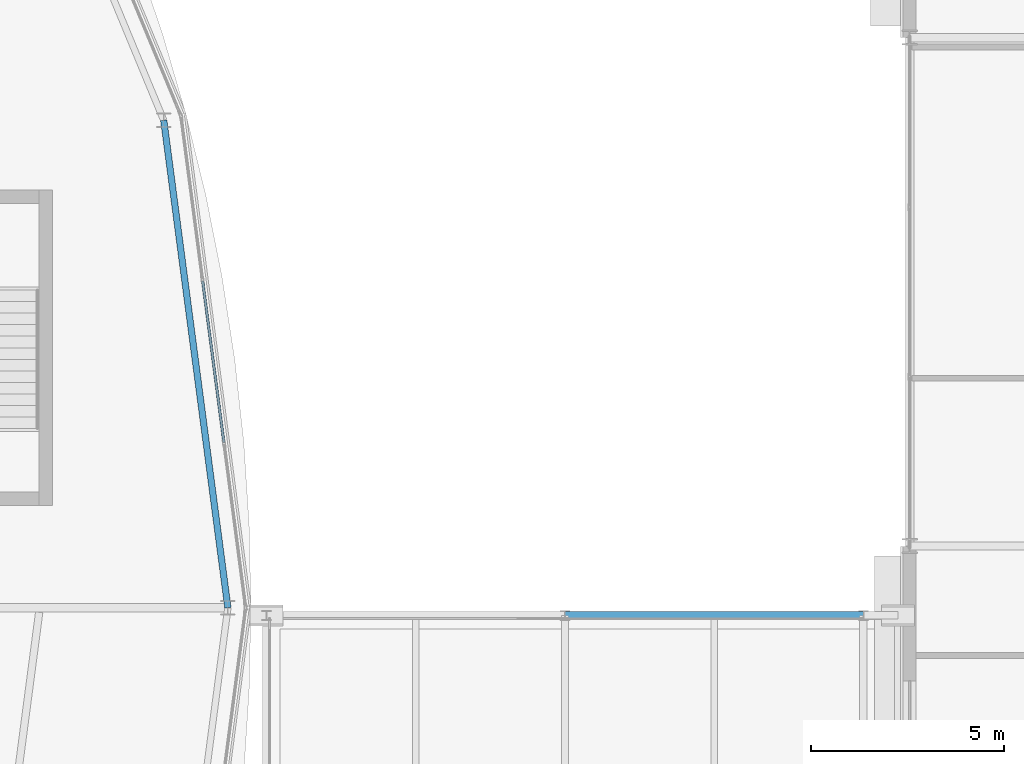
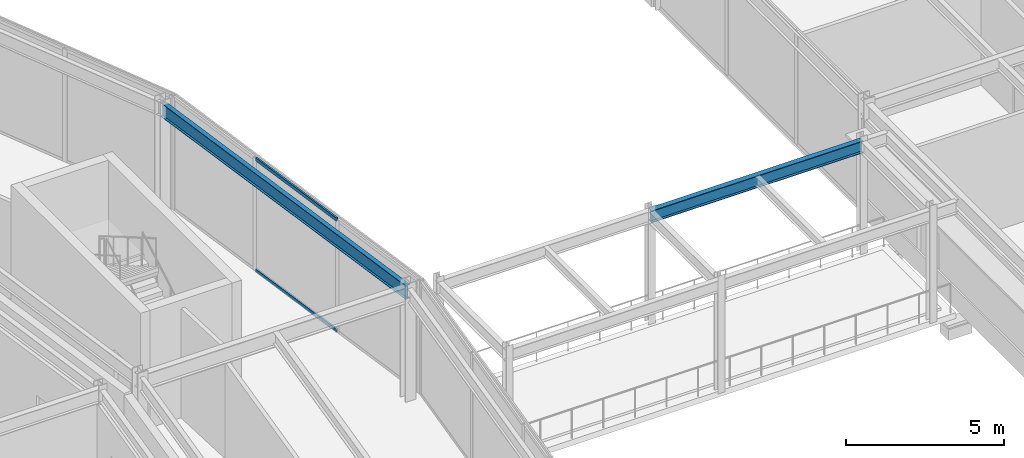
# One storey, part 97 of 157: 2 beams, 2 members, 1 element without a shape of its own.
"""IFC4 building model written with IfcOpenShell, lengths in metres."""

from ifc_helpers import new_model, si_unit, direction, frame, origin, origin_2d, place, context, subcontext, project, spatial, hollow_rectangle, i_section, extrude, material, material_profile, profile_set, type_object, element, aggregate, save


model = new_model("IFC4")

# Units and contexts
model_context = context("Model", 3, precision=1e-05, world=origin(), true_north=direction((0.0, 1.0)))
body_context = subcontext(model_context, "Body", "Model", "MODEL_VIEW")
ifc_project = project(units=[si_unit("LENGTHUNIT", "METRE"), si_unit("AREAUNIT", "SQUARE_METRE"), si_unit("VOLUMEUNIT", "CUBIC_METRE"), si_unit("PLANEANGLEUNIT", "RADIAN"), si_unit("MASSUNIT", "GRAM", prefix="KILO")], contexts=[model_context])

# Site, building, storey
site_placement = place(None, origin())
site = spatial("IfcSite", under=ifc_project, at=site_placement, CompositionType="ELEMENT")
building_placement = place(site_placement, origin())
building = spatial("IfcBuilding", under=site, at=building_placement, Name="Almandine Court Research Institute", CompositionType="ELEMENT")
storey_placement = place(building_placement, frame((0.0, 0.0, 5.25)))
storey = spatial("IfcBuildingStorey", under=building, at=storey_placement, Name="L01", CompositionType="ELEMENT", Elevation=5.25)

# Beams
ifc_material_1 = material(Name="Steel ASTM A992 Grade 50", Category="steel")
ifc_material_profile_1 = material_profile(ifc_material_1, i_section(OverallWidth=0.166015625, OverallDepth=0.534912109375, WebThickness=0.010009765625, FlangeThickness=0.01708984375, at=origin_2d()), Name="W530x85")
ifc_profile_set_1 = profile_set([ifc_material_profile_1], Name="Steel ASTM A992 Grade 50")
beam_type_1 = type_object("IfcBeamType", Name="Beam-G-05-E", PredefinedType="SPANDREL", material=ifc_profile_set_1)
beam_1_placement = place(storey_placement, frame((135.89990234375, 56.0, 4.10205078125), z_axis=(-0.130512396599, 0.991446677504, 0.0), x_axis=(-0.991446677504, -0.130512396599, 0.0)))
element("IfcBeam", 1, at=beam_1_placement, inside=storey, type_object=beam_type_1, Name="L01 Drum OUT Ring Beam 00", PredefinedType="SPANDREL", context=body_context, shape_type="SweptSolid", body=[
    extrude(i_section(OverallWidth=0.166015625, OverallDepth=0.534912109375, WebThickness=0.010009765625, FlangeThickness=0.01708984375, at=origin_2d()), origin(), (0.0, 0.0, 1.0), 12.76513671875),
])
ifc_material_profile_2 = material_profile(ifc_material_1, i_section(OverallWidth=0.193115234375, OverallDepth=0.466064453125, WebThickness=0.010986328125, FlangeThickness=0.01904296875, at=origin_2d()), Name="W460x97")
ifc_profile_set_2 = profile_set([ifc_material_profile_2], Name="Steel ASTM A992 Grade 50")
beam_type_2 = type_object("IfcBeamType", Name="Beam-G-06-E", PredefinedType="SPANDREL", material=ifc_profile_set_2)
beam_2_placement = place(storey_placement, frame((144.64990234375, 55.800048828125, 4.116943359375), z_axis=(1.0, 0.0, 0.0), x_axis=(0.0, 1.0, 0.0)))
element("IfcBeam", 2, at=beam_2_placement, inside=storey, type_object=beam_type_2, Name="L01 DAL-E Primary X Girder", PredefinedType="SPANDREL", context=body_context, shape_type="SweptSolid", body=[
    extrude(i_section(OverallWidth=0.193115234375, OverallDepth=0.466064453125, WebThickness=0.010986328125, FlangeThickness=0.01904296875, at=origin_2d()), origin(), (0.0, 0.0, 1.0), 7.75),
])

# Curtain wall, members
ifc_material_2 = material(Name="Unitised Curtain Wall Framing and Solar Glazing", Category="glass")
curtain_wall_type = type_object("IfcCurtainWallType", Name="CW-CWJ-19", PredefinedType="USERDEFINED", material=ifc_material_2)
curtain_wall_placement = place(storey_placement, origin())
curtain_wall = element("IfcCurtainWall", 3, at=curtain_wall_placement, inside=storey, type_object=curtain_wall_type, Name="L01 Stacked-Ring Drum Outer Solar Jali Screen 00", ObjectType="SOLAR JALI SCREEN", PredefinedType="USERDEFINED")
ifc_material_3 = material(Name="Anodised Aluminium AW-6063-T6", Category="aluminium")
ifc_material_profile_3 = material_profile(ifc_material_3, hollow_rectangle(XDim=0.06494140625, YDim=0.1298828125, WallThickness=0.00390625, at=origin_2d()), Name="ALU RHS 65x130x4")
ifc_profile_set_3 = profile_set([ifc_material_profile_3], Name="Anodised Aluminium AW-6063-T6")
member_type = type_object("IfcMemberType", Name="CWTrn-65x130", PredefinedType="NOTDEFINED", material=ifc_profile_set_3)
member_1_placement = place(storey_placement, frame((135.24365234375, 64.483154296875, 0.032470703125), z_axis=(0.130521740045, -0.991445447504, 0.0), x_axis=(0.991445447504, 0.130521740045, 0.0)))
member_1 = element("IfcMember", 4, at=member_1_placement, type_object=member_type, Name="CWJ-19 transom 2.1", ObjectType="TRANSOM", PredefinedType="USERDEFINED", context=body_context, shape_type="SweptSolid", body=[
    extrude(hollow_rectangle(XDim=0.06494140625, YDim=0.1298828125, WallThickness=0.00390625, at=origin_2d()), origin(), (0.0, 0.0, 1.0), 4.227294921875),
])
member_2_placement = place(storey_placement, frame((135.24365234375, 64.483154296875, 4.33740234375), z_axis=(0.130521740045, -0.991445447504, 0.0), x_axis=(0.991445447504, 0.130521740045, 0.0)))
member_2 = element("IfcMember", 5, at=member_2_placement, type_object=member_type, Name="CWJ-19 transom 2.2", ObjectType="TRANSOM", PredefinedType="USERDEFINED", context=body_context, shape_type="SweptSolid", body=[
    extrude(hollow_rectangle(XDim=0.06494140625, YDim=0.1298828125, WallThickness=0.00390625, at=origin_2d()), origin(), (0.0, 0.0, 1.0), 4.227294921875),
])
aggregate(curtain_wall, [member_1, member_2])

save(model, "model.ifc")
